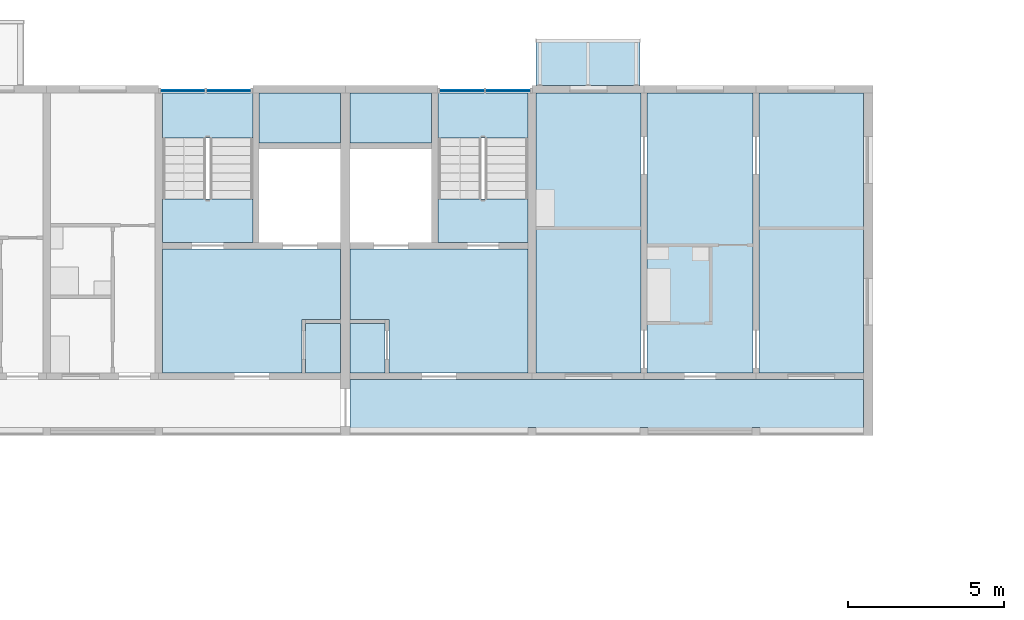
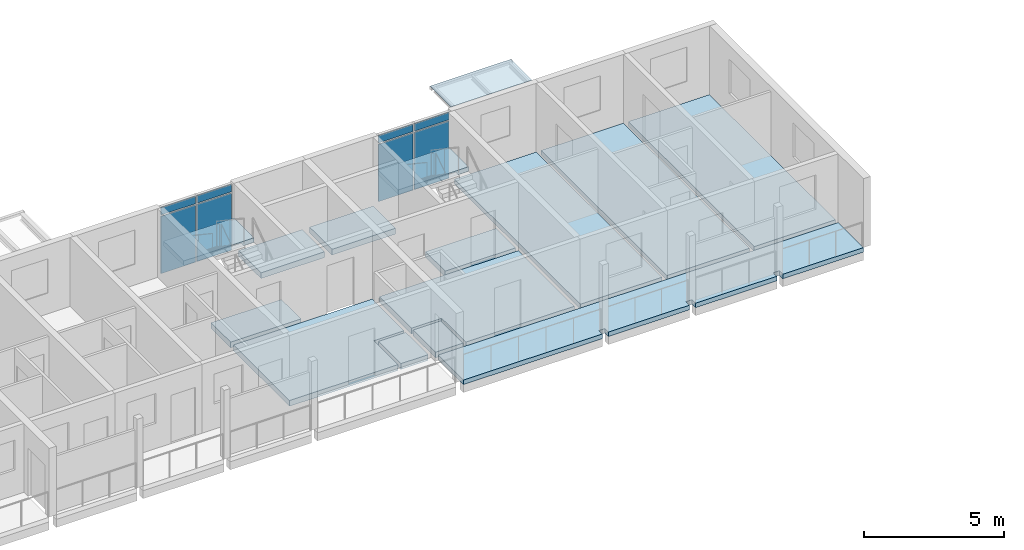
# One storey, part 39 of 115: 15 slabs, 8 plates, 4 elements without a shape of their own.
"""IFC4 building model written with IfcOpenShell, lengths in metres."""

from ifc_helpers import new_model, si_unit, direction, frame, origin, origin_2d, place, context, subcontext, project, spatial, polyline, rectangle, outline, extrude, material, layer, layer_set, type_object, element, aggregate, save


model = new_model("IFC4")

# Units and contexts
model_context = context("Model", 3, precision=1e-05, world=origin(), true_north=direction((0.0, 1.0)))
body_context = subcontext(model_context, "Body", "Model", "MODEL_VIEW")
ifc_project = project(units=[si_unit("LENGTHUNIT", "METRE"), si_unit("AREAUNIT", "SQUARE_METRE"), si_unit("VOLUMEUNIT", "CUBIC_METRE"), si_unit("PLANEANGLEUNIT", "RADIAN"), si_unit("MASSUNIT", "GRAM", prefix="KILO")], contexts=[model_context])

# Site, building, storey
site_placement = place(None, origin())
site = spatial("IfcSite", under=ifc_project, at=site_placement, CompositionType="ELEMENT")
building_placement = place(site_placement, origin())
building = spatial("IfcBuilding", under=site, at=building_placement, Name="Ridgestep Commons", CompositionType="ELEMENT")
storey_placement = place(building_placement, frame((0.0, 0.0, 6.0)))
storey = spatial("IfcBuildingStorey", under=building, at=storey_placement, Name="L02", CompositionType="ELEMENT", Elevation=6.0)

# Slab
ifc_material_1 = material(Name="Precast concrete C40/50", Category="concrete")
ifc_layer_1 = layer(ifc_material_1, 0.199951171875)
ifc_layer_set_1 = layer_set([ifc_layer_1], Name="Gallery slab 200")
slab_type_1 = type_object("IfcSlabType", Name="Gallery slab 200", PredefinedType="FLOOR", material=ifc_layer_set_1)
slab_1_placement = place(storey_placement, frame((0.0, 0.0, -0.199951171875)))
element("IfcSlab", 1, at=slab_1_placement, inside=storey, type_object=slab_type_1, Name="Gallery slab C6 L02", PredefinedType="FLOOR", context=body_context, shape_type="SweptSolid", body=[
    extrude(outline(polyline([(247.449951171875, 67.800048828125), (230.949951171875, 67.800048828125), (230.949951171875, 66.0), (236.675048828125, 66.0), (236.675048828125, 66.25), (236.925048828125, 66.25), (236.925048828125, 66.0), (240.27490234375, 66.0), (240.27490234375, 66.25), (240.52490234375, 66.25), (240.52490234375, 66.0), (243.875, 66.0), (243.875, 66.25), (244.125, 66.25), (244.125, 66.0), (247.449951171875, 66.0), (247.449951171875, 67.800048828125)])), origin(), (0.0, 0.0, 1.0), 0.199951171875),
])

# Curtain wall, plates
ifc_material_2 = material(Name="Aluminium 6063-T6 and glass", Category="aluminium")
curtain_wall_type = type_object("IfcCurtainWallType", Name="Curtain wall stair strip", PredefinedType="NOTDEFINED", material=ifc_material_2)
curtain_wall_1_placement = place(storey_placement, origin())
curtain_wall_1 = element("IfcCurtainWall", 2, at=curtain_wall_1_placement, inside=storey, type_object=curtain_wall_type, Name="Curtain wall C5C level 02", PredefinedType="NOTDEFINED")
ifc_material_3 = material(Name="Glass laminated 6/16/6 low-emissivity", Category="glass")
ifc_layer_2 = layer(ifc_material_3, 0.028076171875)
ifc_layer_set_2 = layer_set([ifc_layer_2], Name="Glazing panel 28")
plate_type_1 = type_object("IfcPlateType", Name="Glazing panel 28", PredefinedType="CURTAIN_PANEL", material=ifc_layer_set_2)
plate_1_placement = place(storey_placement, frame((225.5712890625, 77.080078125, 0.06005859375), z_axis=(0.0, 0.0, 1.0), x_axis=(1.0, 0.0, 0.0)))
plate_1 = element("IfcPlate", 3, at=plate_1_placement, type_object=plate_type_1, Name="CW1 panel 1.1", PredefinedType="CURTAIN_PANEL", context=body_context, shape_type="SweptSolid", body=[
    extrude(rectangle(XDim=1.422607421875, YDim=0.028076171875, at=origin_2d()), origin(), (0.0, 0.0, 1.0), 2.5),
])
plate_2_placement = place(storey_placement, frame((227.0537109375, 77.080078125, 0.06005859375), z_axis=(0.0, 0.0, 1.0), x_axis=(1.0, 0.0, 0.0)))
plate_2 = element("IfcPlate", 4, at=plate_2_placement, type_object=plate_type_1, Name="CW1 panel 2.1", PredefinedType="CURTAIN_PANEL", context=body_context, shape_type="SweptSolid", body=[
    extrude(rectangle(XDim=1.422607421875, YDim=0.028076171875, at=origin_2d()), origin(), (0.0, 0.0, 1.0), 2.5),
])

curtain_wall_2_placement = place(storey_placement, origin())
curtain_wall_2 = element("IfcCurtainWall", 5, at=curtain_wall_2_placement, inside=storey, type_object=curtain_wall_type, Name="Curtain wall C6C level 02", PredefinedType="NOTDEFINED")
plate_3_placement = place(storey_placement, frame((234.546142578125, 77.080078125, 0.06005859375), z_axis=(0.0, 0.0, 1.0), x_axis=(1.0, 0.0, 0.0)))
plate_3 = element("IfcPlate", 6, at=plate_3_placement, type_object=plate_type_1, Name="CW1 panel 1.1", PredefinedType="CURTAIN_PANEL", context=body_context, shape_type="SweptSolid", body=[
    extrude(rectangle(XDim=1.422607421875, YDim=0.028076171875, at=origin_2d()), origin(), (0.0, 0.0, 1.0), 2.5),
])
plate_4_placement = place(storey_placement, frame((236.02880859375, 77.080078125, 0.06005859375), z_axis=(0.0, 0.0, 1.0), x_axis=(1.0, 0.0, 0.0)))
plate_4 = element("IfcPlate", 7, at=plate_4_placement, type_object=plate_type_1, Name="CW1 panel 2.1", PredefinedType="CURTAIN_PANEL", context=body_context, shape_type="SweptSolid", body=[
    extrude(rectangle(XDim=1.422607421875, YDim=0.028076171875, at=origin_2d()), origin(), (0.0, 0.0, 1.0), 2.5),
])

# Slabs
ifc_material_4 = material(Name="Precast concrete C50/60", Category="concrete")
ifc_layer_3 = layer(ifc_material_4, 0.199951171875)
ifc_layer_set_3 = layer_set([ifc_layer_3], Name="Hollow-core plank 200")
slab_type_2 = type_object("IfcSlabType", Name="Hollow-core plank 200", PredefinedType="FLOOR", material=ifc_layer_set_3)
slab_2_placement = place(storey_placement, frame((0.0, 0.0, -0.199951171875)))
element("IfcSlab", 8, at=slab_2_placement, inside=storey, type_object=slab_type_2, Name="Floor plank C6T3 L02", PredefinedType="FLOOR", context=body_context, shape_type="SweptSolid", body=[
    extrude(outline(polyline([(240.300048828125, 68.0), (240.300048828125, 77.0), (236.925048828125, 77.0), (236.925048828125, 68.0), (240.300048828125, 68.0)])), origin(), (0.0, 0.0, 1.0), 0.199951171875),
])
slab_3_placement = place(storey_placement, frame((0.0, 0.0, -0.199951171875)))
element("IfcSlab", 9, at=slab_3_placement, inside=storey, type_object=slab_type_2, Name="Floor plank C6T2 L02", PredefinedType="FLOOR", context=body_context, shape_type="SweptSolid", body=[
    extrude(outline(polyline([(243.89990234375, 68.0), (243.89990234375, 77.0), (240.5, 77.0), (240.5, 68.0), (243.89990234375, 68.0)])), origin(), (0.0, 0.0, 1.0), 0.199951171875),
])
slab_4_placement = place(storey_placement, frame((0.0, 0.0, -0.199951171875)))
element("IfcSlab", 10, at=slab_4_placement, inside=storey, type_object=slab_type_2, Name="Floor plank C6T1 L02", PredefinedType="FLOOR", context=body_context, shape_type="SweptSolid", body=[
    extrude(outline(polyline([(247.449951171875, 68.0), (247.449951171875, 77.0), (244.10009765625, 77.0), (244.10009765625, 68.0), (247.449951171875, 68.0)])), origin(), (0.0, 0.0, 1.0), 0.199951171875),
])
ifc_material_5 = material(Name="Precast concrete C50/60", Category="concrete")
ifc_layer_4 = layer(ifc_material_5, 0.25)
ifc_layer_set_4 = layer_set([ifc_layer_4], Name="Hollow-core plank 250")
slab_type_3 = type_object("IfcSlabType", Name="Hollow-core plank 250", PredefinedType="FLOOR", material=ifc_layer_set_4)
slab_5_placement = place(storey_placement, frame((0.0, 0.0, -0.25)))
element("IfcSlab", 11, at=slab_5_placement, inside=storey, type_object=slab_type_3, Name="Floor plank C5C L02", PredefinedType="FLOOR", context=body_context, shape_type="SweptSolid", body=[
    extrude(outline(polyline([(229.52001953125, 69.719970703125), (230.64990234375, 69.719970703125), (230.64990234375, 72.0), (224.925048828125, 72.0), (224.925048828125, 68.0), (229.39990234375, 68.0), (229.39990234375, 69.719970703125), (229.52001953125, 69.719970703125)])), origin(), (0.0, 0.0, 1.0), 0.25),
])
slab_6_placement = place(storey_placement, frame((0.0, 0.0, -0.25)))
element("IfcSlab", 12, at=slab_6_placement, inside=storey, type_object=slab_type_3, Name="Floor plank C5C L02", PredefinedType="FLOOR", context=body_context, shape_type="SweptSolid", body=[
    extrude(outline(polyline([(230.64990234375, 75.39990234375), (230.64990234375, 77.0), (228.02490234375, 77.0), (228.02490234375, 75.39990234375), (230.64990234375, 75.39990234375)])), origin(), (0.0, 0.0, 1.0), 0.25),
])
slab_7_placement = place(storey_placement, frame((0.0, 0.0, -0.25)))
element("IfcSlab", 13, at=slab_7_placement, inside=storey, type_object=slab_type_3, Name="Floor plank C5C L02", PredefinedType="FLOOR", context=body_context, shape_type="SweptSolid", body=[
    extrude(outline(polyline([(227.824951171875, 72.199951171875), (227.824951171875, 73.60009765625), (224.925048828125, 73.60009765625), (224.925048828125, 72.199951171875), (227.824951171875, 72.199951171875)])), origin(), (0.0, 0.0, 1.0), 0.25),
])
slab_8_placement = place(storey_placement, frame((0.0, 0.0, -0.25)))
element("IfcSlab", 14, at=slab_8_placement, inside=storey, type_object=slab_type_3, Name="Floor plank C5C L02", PredefinedType="FLOOR", context=body_context, shape_type="SweptSolid", body=[
    extrude(outline(polyline([(229.52001953125, 68.0), (230.64990234375, 68.0), (230.64990234375, 69.60009765625), (229.52001953125, 69.60009765625), (229.52001953125, 68.0)])), origin(), (0.0, 0.0, 1.0), 0.25),
])
slab_9_placement = place(storey_placement, frame((0.0, 0.0, -0.25)))
element("IfcSlab", 15, at=slab_9_placement, inside=storey, type_object=slab_type_3, Name="Floor plank C6C L02", PredefinedType="FLOOR", context=body_context, shape_type="SweptSolid", body=[
    extrude(outline(polyline([(232.199951171875, 68.0), (236.675048828125, 68.0), (236.675048828125, 72.0), (230.949951171875, 72.0), (230.949951171875, 69.719970703125), (232.080078125, 69.719970703125), (232.199951171875, 69.719970703125), (232.199951171875, 68.0)])), origin(), (0.0, 0.0, 1.0), 0.25),
])
slab_10_placement = place(storey_placement, frame((0.0, 0.0, -0.25)))
element("IfcSlab", 16, at=slab_10_placement, inside=storey, type_object=slab_type_3, Name="Floor plank C6C L02", PredefinedType="FLOOR", context=body_context, shape_type="SweptSolid", body=[
    extrude(outline(polyline([(233.574951171875, 77.0), (230.949951171875, 77.0), (230.949951171875, 75.39990234375), (233.574951171875, 75.39990234375), (233.574951171875, 77.0)])), origin(), (0.0, 0.0, 1.0), 0.25),
])
slab_11_placement = place(storey_placement, frame((0.0, 0.0, -0.25)))
element("IfcSlab", 17, at=slab_11_placement, inside=storey, type_object=slab_type_3, Name="Floor plank C6C L02", PredefinedType="FLOOR", context=body_context, shape_type="SweptSolid", body=[
    extrude(outline(polyline([(236.675048828125, 72.199951171875), (236.675048828125, 73.60009765625), (233.77490234375, 73.60009765625), (233.77490234375, 72.199951171875), (236.675048828125, 72.199951171875)])), origin(), (0.0, 0.0, 1.0), 0.25),
])
slab_12_placement = place(storey_placement, frame((0.0, 0.0, -0.25)))
element("IfcSlab", 18, at=slab_12_placement, inside=storey, type_object=slab_type_3, Name="Floor plank C6C L02", PredefinedType="FLOOR", context=body_context, shape_type="SweptSolid", body=[
    extrude(outline(polyline([(232.080078125, 69.60009765625), (230.949951171875, 69.60009765625), (230.949951171875, 68.0), (232.080078125, 68.0), (232.080078125, 69.60009765625)])), origin(), (0.0, 0.0, 1.0), 0.25),
])

# Plate
ifc_material_6 = material(Name="Aluminium 6063-T6 and mineral wool", Category="aluminium")
ifc_layer_5 = layer(ifc_material_6, 0.0400390625)
ifc_layer_set_5 = layer_set([ifc_layer_5], Name="Spandrel panel 40")
plate_type_2 = type_object("IfcPlateType", Name="Spandrel panel 40", PredefinedType="CURTAIN_PANEL", material=ifc_layer_set_5)
plate_5_placement = place(storey_placement, frame((225.5712890625, 77.080078125, 2.6201171875), z_axis=(0.0, 0.0, 1.0), x_axis=(1.0, 0.0, 0.0)))
plate_5 = element("IfcPlate", 19, at=plate_5_placement, type_object=plate_type_2, Name="CW1 panel 1.2", PredefinedType="CURTAIN_PANEL", context=body_context, shape_type="SweptSolid", body=[
    extrude(rectangle(XDim=1.422607421875, YDim=0.0400390625, at=origin_2d()), origin(), (0.0, 0.0, 1.0), 0.320068359375),
])

plate_6_placement = place(storey_placement, frame((227.0537109375, 77.080078125, 2.6201171875), z_axis=(0.0, 0.0, 1.0), x_axis=(1.0, 0.0, 0.0)))
plate_6 = element("IfcPlate", 20, at=plate_6_placement, type_object=plate_type_2, Name="CW1 panel 2.2", PredefinedType="CURTAIN_PANEL", context=body_context, shape_type="SweptSolid", body=[
    extrude(rectangle(XDim=1.422607421875, YDim=0.0400390625, at=origin_2d()), origin(), (0.0, 0.0, 1.0), 0.320068359375),
])

aggregate(curtain_wall_1, [plate_1, plate_5, plate_2, plate_6])

plate_7_placement = place(storey_placement, frame((234.546142578125, 77.080078125, 2.6201171875), z_axis=(0.0, 0.0, 1.0), x_axis=(1.0, 0.0, 0.0)))
plate_7 = element("IfcPlate", 21, at=plate_7_placement, type_object=plate_type_2, Name="CW1 panel 1.2", PredefinedType="CURTAIN_PANEL", context=body_context, shape_type="SweptSolid", body=[
    extrude(rectangle(XDim=1.422607421875, YDim=0.0400390625, at=origin_2d()), origin(), (0.0, 0.0, 1.0), 0.320068359375),
])

plate_8_placement = place(storey_placement, frame((236.02880859375, 77.080078125, 2.6201171875), z_axis=(0.0, 0.0, 1.0), x_axis=(1.0, 0.0, 0.0)))
plate_8 = element("IfcPlate", 22, at=plate_8_placement, type_object=plate_type_2, Name="CW1 panel 2.2", PredefinedType="CURTAIN_PANEL", context=body_context, shape_type="SweptSolid", body=[
    extrude(rectangle(XDim=1.422607421875, YDim=0.0400390625, at=origin_2d()), origin(), (0.0, 0.0, 1.0), 0.320068359375),
])

aggregate(curtain_wall_2, [plate_3, plate_7, plate_4, plate_8])

# Stair, slab
ifc_material_7 = material(Name="Precast concrete C40/50", Category="concrete")
stair_type = type_object("IfcStairType", Name="Escape stair 1400", PredefinedType="HALF_TURN_STAIR", material=ifc_material_7)
stair_1_placement = place(storey_placement, origin())
stair_1 = element("IfcStair", 23, at=stair_1_placement, inside=storey, type_object=stair_type, Name="L02 Escape stair C5C", PredefinedType="HALF_TURN_STAIR")
ifc_material_8 = material(Name="Precast concrete C40/50", Category="concrete")
ifc_layer_6 = layer(ifc_material_8, 0.199951171875)
ifc_layer_set_6 = layer_set([ifc_layer_6], Name="Stair landing 200")
slab_type_4 = type_object("IfcSlabType", Name="Stair landing 200", PredefinedType="LANDING", material=ifc_layer_set_6)
slab_13_placement = place(storey_placement, frame((0.0, 0.0, 1.300048828125)))
slab_13 = element("IfcSlab", 24, at=slab_13_placement, type_object=slab_type_4, Name="C5C landing 1", PredefinedType="LANDING", context=body_context, shape_type="SweptSolid", body=[
    extrude(outline(polyline([(227.824951171875, 75.56005859375), (227.824951171875, 77.0), (224.925048828125, 77.0), (224.925048828125, 75.56005859375), (227.824951171875, 75.56005859375)])), origin(), (0.0, 0.0, 1.0), 0.199951171875),
])
aggregate(stair_1, [slab_13])

stair_2_placement = place(storey_placement, origin())
stair_2 = element("IfcStair", 25, at=stair_2_placement, inside=storey, type_object=stair_type, Name="L02 Escape stair C6C", PredefinedType="HALF_TURN_STAIR")
slab_14_placement = place(storey_placement, frame((0.0, 0.0, 1.300048828125)))
slab_14 = element("IfcSlab", 26, at=slab_14_placement, type_object=slab_type_4, Name="C6C landing 1", PredefinedType="LANDING", context=body_context, shape_type="SweptSolid", body=[
    extrude(outline(polyline([(236.675048828125, 75.56005859375), (236.675048828125, 77.0), (233.77490234375, 77.0), (233.77490234375, 75.56005859375), (236.675048828125, 75.56005859375)])), origin(), (0.0, 0.0, 1.0), 0.199951171875),
])
aggregate(stair_2, [slab_14])

# Slab
ifc_material_9 = material(Name="Weathering steel S355J2W", Category="steel")
ifc_layer_7 = layer(ifc_material_9, 0.010009765625)
ifc_layer_set_7 = layer_set([ifc_layer_7], Name="Tray 3.4 x 1.5")
slab_type_5 = type_object("IfcSlabType", Name="Tray 3.4 x 1.5", PredefinedType="FLOOR", material=ifc_layer_set_7)
slab_15_placement = place(storey_placement, frame((0.0, 0.0, 2.989990234375)))
element("IfcSlab", 27, at=slab_15_placement, inside=storey, type_object=slab_type_5, Name="Tray deck C6T3-03", PredefinedType="FLOOR", context=body_context, shape_type="SweptSolid", body=[
    extrude(outline(polyline([(236.929931640625, 77.25), (240.27001953125, 77.25), (240.27001953125, 78.75), (236.929931640625, 78.75), (236.929931640625, 77.25)])), origin(), (0.0, 0.0, 1.0), 0.010009765625),
])

save(model, "model.ifc")
